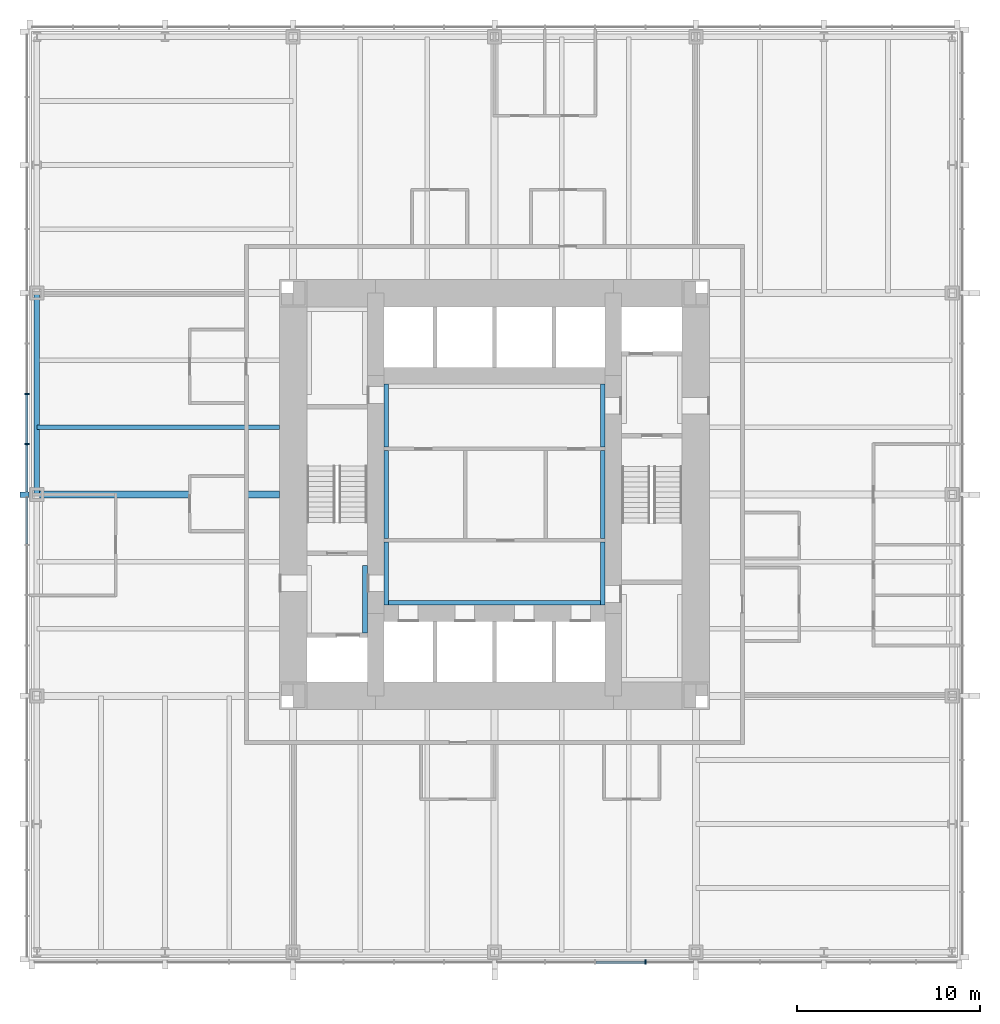
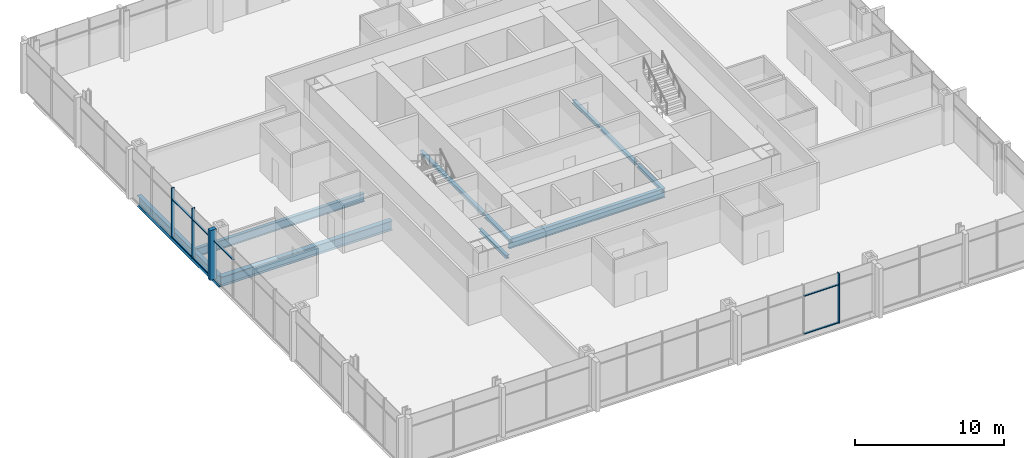
# One storey, part 3 of 12: 11 beams, 11 members, 2 elements without a shape of their own.
"""IFC4 building model written with IfcOpenShell, lengths in metres."""

from ifc_helpers import new_model, si_unit, direction, frame, origin, origin_2d, place, context, subcontext, project, spatial, rectangle, i_section, extrude, material, material_profile, profile_set, type_object, element, aggregate, save


model = new_model("IFC4")

# Units and contexts
model_context = context("Model", 3, precision=1e-05, world=origin(), true_north=direction((0.0, 1.0)))
body_context = subcontext(model_context, "Body", "Model", "MODEL_VIEW")
ifc_project = project(units=[si_unit("LENGTHUNIT", "METRE"), si_unit("AREAUNIT", "SQUARE_METRE"), si_unit("VOLUMEUNIT", "CUBIC_METRE"), si_unit("PLANEANGLEUNIT", "RADIAN"), si_unit("MASSUNIT", "GRAM", prefix="KILO")], contexts=[model_context])

# Site, building, storey
site_placement = place(None, origin())
site = spatial("IfcSite", under=ifc_project, at=site_placement, CompositionType="ELEMENT")
building_placement = place(site_placement, origin())
building = spatial("IfcBuilding", under=site, at=building_placement, Name="Trevanion Tower", CompositionType="ELEMENT")
storey_placement = place(building_placement, frame((0.0, 0.0, 20.10009765625)))
storey = spatial("IfcBuildingStorey", under=building, at=storey_placement, Name="L04", CompositionType="ELEMENT", Elevation=20.10009765625)

# Beam
ifc_material_1 = material(Name="Steel ASTM A992 Grade 50", Category="steel")
ifc_material_profile_1 = material_profile(ifc_material_1, i_section(OverallWidth=0.25390625, OverallDepth=0.700927734375, WebThickness=0.015380859375, FlangeThickness=0.02783203125, at=origin_2d()), Name="W27X129")
ifc_profile_set_1 = profile_set([ifc_material_profile_1], Name="Steel ASTM A992 Grade 50")
beam_type_1 = type_object("IfcBeamType", Name="B3 W27X129", PredefinedType="BEAM", material=ifc_profile_set_1)
beam_1_placement = place(storey_placement, frame((-11.75, 3.666748046875, -0.54052734375), z_axis=(-1.0, 0.0, 0.0), x_axis=(0.0, -1.0, 0.0)))
element("IfcBeam", 1, at=beam_1_placement, inside=storey, type_object=beam_type_1, Name="B3 L04", PredefinedType="BEAM", context=body_context, shape_type="SweptSolid", body=[
    extrude(i_section(OverallWidth=0.25390625, OverallDepth=0.700927734375, WebThickness=0.015380859375, FlangeThickness=0.02783203125, at=origin_2d()), origin(), (0.0, 0.0, 1.0), 13.25),
])

# Curtain wall, members
ifc_material_2 = material(Name="Aluminium and glass", Category="aluminium")
curtain_wall_type = type_object("IfcCurtainWallType", Name="CW1 curtain wall", PredefinedType="USERDEFINED", material=ifc_material_2)
curtain_wall_1_placement = place(storey_placement, origin())
curtain_wall_1 = element("IfcCurtainWall", 2, at=curtain_wall_1_placement, inside=storey, type_object=curtain_wall_type, Name="CW1 L04 2", ObjectType="UNITISED CURTAIN WALL", PredefinedType="USERDEFINED")
ifc_material_3 = material(Name="Aluminium extrusion, anodised bronze", Category="aluminium")
ifc_material_profile_2 = material_profile(ifc_material_3, rectangle(XDim=0.074951171875, YDim=0.25, at=origin_2d()), Name="CW1 mullion")
ifc_profile_set_2 = profile_set([ifc_material_profile_2], Name="Aluminium extrusion, anodised bronze")
member_type_1 = type_object("IfcMemberType", Name="CW1 mullion", PredefinedType="MULLION", material=ifc_profile_set_2)
member_1_placement = place(storey_placement, frame((-25.550048828125, 5.5, -0.190185546875), z_axis=(0.0, 0.0, 1.0), x_axis=(0.0, -1.0, 0.0)))
member_1 = element("IfcMember", 3, at=member_1_placement, type_object=member_type_1, Name="CW1 mullion 7", PredefinedType="MULLION", context=body_context, shape_type="SweptSolid", body=[
    extrude(rectangle(XDim=0.074951171875, YDim=0.25, at=origin_2d()), origin(), (0.0, 0.0, 1.0), 4.10009765625),
])
member_2_placement = place(storey_placement, frame((-25.550048828125, 2.75, -0.190185546875), z_axis=(0.0, 0.0, 1.0), x_axis=(0.0, -1.0, 0.0)))
member_2 = element("IfcMember", 4, at=member_2_placement, type_object=member_type_1, Name="CW1 mullion 8", PredefinedType="MULLION", context=body_context, shape_type="SweptSolid", body=[
    extrude(rectangle(XDim=0.074951171875, YDim=0.25, at=origin_2d()), origin(), (0.0, 0.0, 1.0), 4.10009765625),
])

# Curtain wall, member
curtain_wall_2_placement = place(storey_placement, origin())
curtain_wall_2 = element("IfcCurtainWall", 5, at=curtain_wall_2_placement, inside=storey, type_object=curtain_wall_type, Name="CW1 L04 3", ObjectType="UNITISED CURTAIN WALL", PredefinedType="USERDEFINED")
member_3_placement = place(storey_placement, frame((8.25, -25.550048828125, -0.190185546875), z_axis=(0.0, 0.0, 1.0), x_axis=(1.0, 0.0, 0.0)))
member_3 = element("IfcMember", 6, at=member_3_placement, type_object=member_type_1, Name="CW1 mullion 12", PredefinedType="MULLION", context=body_context, shape_type="SweptSolid", body=[
    extrude(rectangle(XDim=0.074951171875, YDim=0.25, at=origin_2d()), origin(), (0.0, 0.0, 1.0), 4.10009765625),
])

# Member
ifc_material_4 = material(Name="Aluminium extrusion, anodised bronze", Category="aluminium")
ifc_material_profile_3 = material_profile(ifc_material_4, rectangle(XDim=0.300048828125, YDim=0.5, at=origin_2d()), Name="CW1 pier mullion")
ifc_profile_set_3 = profile_set([ifc_material_profile_3], Name="Aluminium extrusion, anodised bronze")
member_type_2 = type_object("IfcMemberType", Name="CW1 pier mullion", PredefinedType="MULLION", material=ifc_profile_set_3)
member_4_placement = place(storey_placement, frame((-25.675048828125, 0.0, -0.190185546875), z_axis=(0.0, 0.0, 1.0), x_axis=(0.0, -1.0, 0.0)))
member_4 = element("IfcMember", 7, at=member_4_placement, type_object=member_type_2, Name="CW1 pier mullion 9", PredefinedType="MULLION", context=body_context, shape_type="SweptSolid", body=[
    extrude(rectangle(XDim=0.300048828125, YDim=0.5, at=origin_2d()), origin(), (0.0, 0.0, 1.0), 4.10009765625),
])

ifc_material_5 = material(Name="Aluminium extrusion, anodised bronze", Category="aluminium")
ifc_material_profile_4 = material_profile(ifc_material_5, rectangle(XDim=0.14990234375, YDim=0.074951171875, at=origin_2d()), Name="CW1 transom")
ifc_profile_set_4 = profile_set([ifc_material_profile_4], Name="Aluminium extrusion, anodised bronze")
member_type_3 = type_object("IfcMemberType", Name="CW1 transom", PredefinedType="USERDEFINED", material=ifc_profile_set_4)
member_5_placement = place(storey_placement, frame((-25.550048828125, 5.46240234375, -0.152587890625), z_axis=(0.0, -1.0, 0.0), x_axis=(1.0, 0.0, 0.0)))
member_5 = element("IfcMember", 8, at=member_5_placement, type_object=member_type_3, Name="CW1 transom 7.1", ObjectType="TRANSOM", PredefinedType="USERDEFINED", context=body_context, shape_type="SweptSolid", body=[
    extrude(rectangle(XDim=0.14990234375, YDim=0.074951171875, at=origin_2d()), origin(), (0.0, 0.0, 1.0), 2.6748046875),
])

member_6_placement = place(storey_placement, frame((-25.550048828125, 5.46240234375, 2.9599609375), z_axis=(0.0, -1.0, 0.0), x_axis=(1.0, 0.0, 0.0)))
member_6 = element("IfcMember", 9, at=member_6_placement, type_object=member_type_3, Name="CW1 transom 7.2", ObjectType="TRANSOM", PredefinedType="USERDEFINED", context=body_context, shape_type="SweptSolid", body=[
    extrude(rectangle(XDim=0.14990234375, YDim=0.074951171875, at=origin_2d()), origin(), (0.0, 0.0, 1.0), 2.6748046875),
])

member_7_placement = place(storey_placement, frame((-25.550048828125, 2.71240234375, -0.152587890625), z_axis=(0.0, -1.0, 0.0), x_axis=(1.0, 0.0, 0.0)))
member_7 = element("IfcMember", 10, at=member_7_placement, type_object=member_type_3, Name="CW1 transom 8.1", ObjectType="TRANSOM", PredefinedType="USERDEFINED", context=body_context, shape_type="SweptSolid", body=[
    extrude(rectangle(XDim=0.14990234375, YDim=0.074951171875, at=origin_2d()), origin(), (0.0, 0.0, 1.0), 2.5625),
])

member_8_placement = place(storey_placement, frame((-25.550048828125, 2.71240234375, 2.9599609375), z_axis=(0.0, -1.0, 0.0), x_axis=(1.0, 0.0, 0.0)))
member_8 = element("IfcMember", 11, at=member_8_placement, type_object=member_type_3, Name="CW1 transom 8.2", ObjectType="TRANSOM", PredefinedType="USERDEFINED", context=body_context, shape_type="SweptSolid", body=[
    extrude(rectangle(XDim=0.14990234375, YDim=0.074951171875, at=origin_2d()), origin(), (0.0, 0.0, 1.0), 2.5625),
])

member_9_placement = place(storey_placement, frame((-25.550048828125, -0.14990234375, 2.9599609375), z_axis=(0.0, -1.0, 0.0), x_axis=(1.0, 0.0, 0.0)))
member_9 = element("IfcMember", 12, at=member_9_placement, type_object=member_type_3, Name="CW1 transom 9.2", ObjectType="TRANSOM", PredefinedType="USERDEFINED", context=body_context, shape_type="SweptSolid", body=[
    extrude(rectangle(XDim=0.14990234375, YDim=0.074951171875, at=origin_2d()), origin(), (0.0, 0.0, 1.0), 2.5625),
])

aggregate(curtain_wall_1, [member_1, member_2, member_4, member_5, member_6, member_7, member_8, member_9])

member_10_placement = place(storey_placement, frame((5.53759765625, -25.550048828125, -0.152587890625), z_axis=(1.0, 0.0, 0.0), x_axis=(0.0, 1.0, 0.0)))
member_10 = element("IfcMember", 13, at=member_10_placement, type_object=member_type_3, Name="CW1 transom 11.1", ObjectType="TRANSOM", PredefinedType="USERDEFINED", context=body_context, shape_type="SweptSolid", body=[
    extrude(rectangle(XDim=0.14990234375, YDim=0.074951171875, at=origin_2d()), origin(), (0.0, 0.0, 1.0), 2.6748046875),
])

member_11_placement = place(storey_placement, frame((5.53759765625, -25.550048828125, 2.9599609375), z_axis=(1.0, 0.0, 0.0), x_axis=(0.0, 1.0, 0.0)))
member_11 = element("IfcMember", 14, at=member_11_placement, type_object=member_type_3, Name="CW1 transom 11.2", ObjectType="TRANSOM", PredefinedType="USERDEFINED", context=body_context, shape_type="SweptSolid", body=[
    extrude(rectangle(XDim=0.14990234375, YDim=0.074951171875, at=origin_2d()), origin(), (0.0, 0.0, 1.0), 2.6748046875),
])

aggregate(curtain_wall_2, [member_3, member_10, member_11])

# Beams
ifc_material_6 = material(Name="Steel ASTM A992 Grade 50", Category="steel")
ifc_material_profile_5 = material_profile(ifc_material_6, i_section(OverallWidth=0.381103515625, OverallDepth=0.77978515625, WebThickness=0.01806640625, FlangeThickness=0.0302734375, at=origin_2d()), Name="W30X191")
ifc_profile_set_5 = profile_set([ifc_material_profile_5], Name="Steel ASTM A992 Grade 50")
beam_type_2 = type_object("IfcBeamType", Name="G2 W30X191", PredefinedType="BEAM", material=ifc_profile_set_5)
beam_2_placement = place(storey_placement, frame((-11.75, 0.0, -0.580078125), z_axis=(-1.0, 0.0, 0.0), x_axis=(0.0, -1.0, 0.0)))
element("IfcBeam", 15, at=beam_2_placement, inside=storey, type_object=beam_type_2, Name="G2 L04", PredefinedType="BEAM", context=body_context, shape_type="SweptSolid", body=[
    extrude(i_section(OverallWidth=0.381103515625, OverallDepth=0.77978515625, WebThickness=0.01806640625, FlangeThickness=0.0302734375, at=origin_2d()), origin(), (0.0, 0.0, 1.0), 13.25),
])
ifc_material_7 = material(Name="Steel ASTM A992 Grade 50", Category="steel")
ifc_material_profile_6 = material_profile(ifc_material_7, i_section(OverallWidth=0.256591796875, OverallDepth=0.26416015625, WebThickness=0.011962890625, FlangeThickness=0.01953125, at=origin_2d()), Name="W10X68")
ifc_profile_set_6 = profile_set([ifc_material_profile_6], Name="Steel ASTM A992 Grade 50")
beam_type_3 = type_object("IfcBeamType", Name="LB1 W10X68", PredefinedType="BEAM", material=ifc_profile_set_6)
for number, where, z_axis, x_axis, name in (
    (16, (-5.921630859375, 2.60009765625, -0.332275390625), (0.0, 1.0, 0.0), (-1.0, 0.0, 0.0), "LB1 L04"),
    (17, (5.921630859375, 2.60009765625, -0.332275390625), (0.0, 1.0, 0.0), (-1.0, 0.0, 0.0), "LB1 L04"),
    (18, (-5.921630859375, -6.050048828125, -0.332275390625), (0.0, 1.0, 0.0), (-1.0, 0.0, 0.0), "LB1 L04"),
    (19, (5.921630859375, -6.050048828125, -0.332275390625), (0.0, 1.0, 0.0), (-1.0, 0.0, 0.0), "LB1 L04"),
):
    element("IfcBeam", number, at=place(storey_placement, frame(where, z_axis=z_axis, x_axis=x_axis)), inside=storey, type_object=beam_type_3, Name=name, PredefinedType="BEAM", context=body_context, shape_type="SweptSolid", body=[
        extrude(i_section(OverallWidth=0.256591796875, OverallDepth=0.26416015625, WebThickness=0.011962890625, FlangeThickness=0.01953125, at=origin_2d()), origin(), (0.0, 0.0, 1.0), 3.449951171875),
    ])
beam_3_placement = place(storey_placement, frame((-7.078369140625, -7.574951171875, -0.332275390625), z_axis=(0.0, 1.0, 0.0), x_axis=(-1.0, 0.0, 0.0)))
element("IfcBeam", 20, at=beam_3_placement, inside=storey, type_object=beam_type_3, Name="LB1 L04", PredefinedType="BEAM", context=body_context, shape_type="SweptSolid", body=[
    extrude(i_section(OverallWidth=0.256591796875, OverallDepth=0.26416015625, WebThickness=0.011962890625, FlangeThickness=0.01953125, at=origin_2d()), origin(), (0.0, 0.0, 1.0), 3.699951171875),
])
for number, where, z_axis, x_axis, name in (
    (21, (-5.921630859375, -2.39990234375, -0.332275390625), (0.0, 1.0, 0.0), (-1.0, 0.0, 0.0), "LB1 L04"),
    (22, (5.921630859375, -2.39990234375, -0.332275390625), (0.0, 1.0, 0.0), (-1.0, 0.0, 0.0), "LB1 L04"),
):
    element("IfcBeam", number, at=place(storey_placement, frame(where, z_axis=z_axis, x_axis=x_axis)), inside=storey, type_object=beam_type_3, Name=name, PredefinedType="BEAM", context=body_context, shape_type="SweptSolid", body=[
        extrude(i_section(OverallWidth=0.256591796875, OverallDepth=0.26416015625, WebThickness=0.011962890625, FlangeThickness=0.01953125, at=origin_2d()), origin(), (0.0, 0.0, 1.0), 4.7998046875),
    ])
ifc_material_8 = material(Name="Steel ASTM A992 Grade 50", Category="steel")
ifc_material_profile_7 = material_profile(ifc_material_8, i_section(OverallWidth=0.2666015625, OverallDepth=0.76953125, WebThickness=0.015625, FlangeThickness=0.025390625, at=origin_2d()), Name="W30X132")
ifc_profile_set_7 = profile_set([ifc_material_profile_7], Name="Steel ASTM A992 Grade 50")
beam_type_4 = type_object("IfcBeamType", Name="LB3 W30X132", PredefinedType="BEAM", material=ifc_profile_set_7)
beam_4_placement = place(storey_placement, frame((-6.050048828125, -5.91650390625, -0.5849609375), z_axis=(1.0, 0.0, 0.0), x_axis=(0.0, 1.0, 0.0)))
element("IfcBeam", 23, at=beam_4_placement, inside=storey, type_object=beam_type_4, Name="LB3 L04", PredefinedType="BEAM", context=body_context, shape_type="SweptSolid", body=[
    extrude(i_section(OverallWidth=0.2666015625, OverallDepth=0.76953125, WebThickness=0.015625, FlangeThickness=0.025390625, at=origin_2d()), origin(), (0.0, 0.0, 1.0), 12.10009765625),
])
ifc_material_9 = material(Name="Steel ASTM A992 Grade 50", Category="steel")
ifc_material_profile_8 = material_profile(ifc_material_9, i_section(OverallWidth=0.307373046875, OverallDepth=0.927001953125, WebThickness=0.01953125, FlangeThickness=0.031982421875, at=origin_2d()), Name="W36X194")
ifc_profile_set_8 = profile_set([ifc_material_profile_8], Name="Steel ASTM A992 Grade 50")
beam_type_5 = type_object("IfcBeamType", Name="SB2 W36X194", PredefinedType="SPANDREL", material=ifc_profile_set_8)
beam_5_placement = place(storey_placement, frame((-25.0, 11.0, -0.65380859375), z_axis=(0.0, -1.0, 0.0), x_axis=(1.0, 0.0, 0.0)))
element("IfcBeam", 24, at=beam_5_placement, inside=storey, type_object=beam_type_5, Name="SB2 L04", PredefinedType="SPANDREL", context=body_context, shape_type="SweptSolid", body=[
    extrude(i_section(OverallWidth=0.307373046875, OverallDepth=0.927001953125, WebThickness=0.01953125, FlangeThickness=0.031982421875, at=origin_2d()), origin(), (0.0, 0.0, 1.0), 11.0),
])

save(model, "model.ifc")
